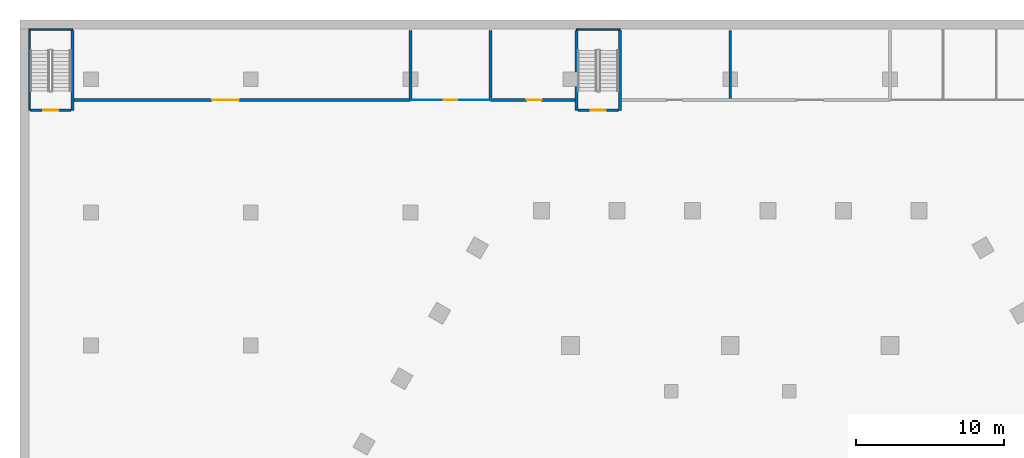
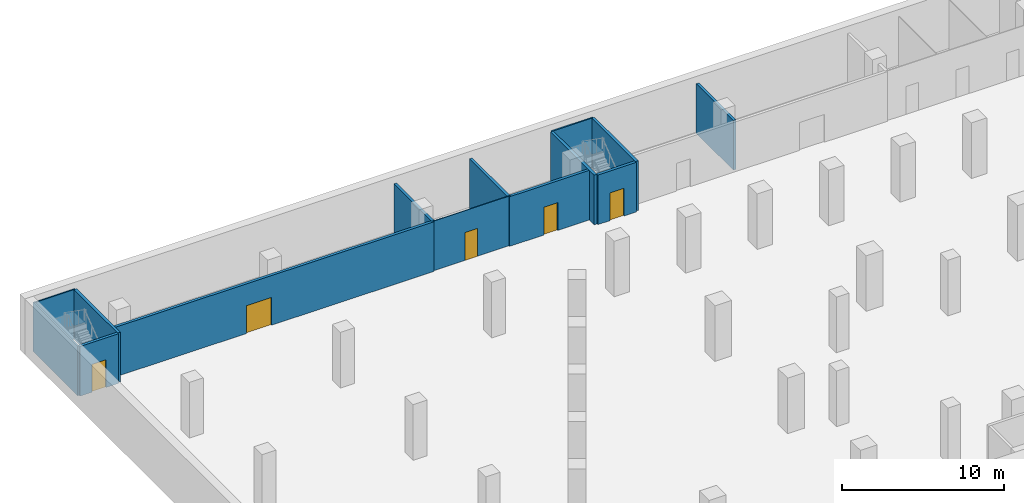
# One storey, part 8 of 20: 14 walls, 5 doors, 5 openings.
"""IFC4 building model written with IfcOpenShell, lengths in metres."""

from ifc_helpers import new_model, si_unit, direction, frame, frame_2d, origin, place, context, subcontext, project, spatial, rectangle, extrude, material, layer, layer_set, type_object, element, fill, save


model = new_model("IFC4")

# Units and contexts
model_context = context("Model", 3, precision=1e-05, world=origin(), true_north=direction((0.0, 1.0)))
body_context = subcontext(model_context, "Body", "Model", "MODEL_VIEW")
ifc_project = project(units=[si_unit("LENGTHUNIT", "METRE"), si_unit("AREAUNIT", "SQUARE_METRE"), si_unit("VOLUMEUNIT", "CUBIC_METRE"), si_unit("PLANEANGLEUNIT", "RADIAN"), si_unit("MASSUNIT", "GRAM", prefix="KILO")], contexts=[model_context])

# Site, building, storey
site_placement = place(None, origin())
site = spatial("IfcSite", under=ifc_project, at=site_placement, CompositionType="ELEMENT")
building_placement = place(site_placement, origin())
building = spatial("IfcBuilding", under=site, at=building_placement, Name="Beryl Residences", CompositionType="ELEMENT")
storey_placement = place(building_placement, frame((0.0, 0.0, -4.199951171875)))
storey = spatial("IfcBuildingStorey", under=building, at=storey_placement, Name="B1", CompositionType="ELEMENT", Elevation=-4.199951171875)

# Wall, opening, door
ifc_material_1 = material(Name="Gypsum board partition on steel studs", Category="steel")
ifc_layer_1 = layer(ifc_material_1, 0.050048828125)
ifc_layer_set_1 = layer_set([ifc_layer_1], Name="PT1-50 partition 50 mm")
wall_type_1 = type_object("IfcWallType", Name="PT1-50 partition 50 mm", PredefinedType="PARTITIONING", material=ifc_layer_set_1)
wall_1_placement = place(storey_placement, frame((-21.60009765625, 34.60009765625, 0.0), z_axis=(0.0, 0.0, 1.0), x_axis=(1.0, 0.0, 0.0)))
wall_1 = element("IfcWall", 1, at=wall_1_placement, inside=storey, type_object=wall_type_1, Name="Wall PT1-50 B1 001", PredefinedType="PARTITIONING", context=body_context, shape_type="SweptSolid", body=[
    extrude(rectangle(XDim=5.5, YDim=0.050048828125, at=frame_2d((2.75, 0.0))), origin(), (0.0, 0.0, 1.0), 3.75),
])
opening_1_placement = place(wall_1_placement, frame((3.14990234375, 0.0, 0.0), z_axis=(0.0, 0.0, 1.0), x_axis=(-1.0, 0.0, 0.0)))
opening_1 = element("IfcOpeningElement", 2, at=opening_1_placement, cuts=wall_1, Name="Opening B1-09", PredefinedType="OPENING", context=body_context, shape_type="SweptSolid", body=[
    extrude(rectangle(XDim=0.89990234375, YDim=2.10009765625, at=frame_2d((0.449951171875, 1.050048828125))), frame((0.0, 0.034912109375, 0.0), z_axis=(0.0, -1.0, 0.0), x_axis=(1.0, 0.0, 0.0)), (0.0, 0.0, 1.0), 0.070068359375),
])
ifc_material_2 = material(Name="Timber door leaf", Category="wood")
door_type_1 = type_object("IfcDoorType", Name="D2 room door 900 x 2100 mm", OperationType="SINGLE_SWING_LEFT", PredefinedType="DOOR", material=ifc_material_2)
door_1_placement = place(opening_1_placement, origin())
door_1 = element("IfcDoor", 3, at=door_1_placement, inside=storey, type_object=door_type_1, Name="Door B1-09 B1 001", OperationType="SINGLE_SWING_RIGHT", OverallHeight=2.10009765625, OverallWidth=0.89990234375, PredefinedType="DOOR", context=body_context, shape_type="SweptSolid", body=[
    extrude(rectangle(XDim=0.89990234375, YDim=2.10009765625, at=frame_2d((0.449951171875, 1.050048828125))), frame((0.0, 0.02490234375, 0.0), z_axis=(0.0, -1.0, 0.0), x_axis=(1.0, 0.0, 0.0)), (0.0, 0.0, 1.0), 0.049560546875),
])
fill(opening_1, door_1)

ifc_material_3 = material(Name="Concrete C40/50", Category="concrete")
ifc_layer_2 = layer(ifc_material_3, 0.199951171875)
ifc_layer_set_2 = layer_set([ifc_layer_2], Name="PT5 stair enclosure wall 200 mm reinforced concrete C40/50")
wall_type_2 = type_object("IfcWallType", Name="PT5 stair enclosure wall 200 mm reinforced concrete C40/50", PredefinedType="SOLIDWALL", material=ifc_layer_set_2)
wall_2_placement = place(storey_placement, frame((-47.300048828125, 33.89990234375, 0.0), z_axis=(0.0, 0.0, 1.0), x_axis=(1.0, 0.0, 0.0)))
wall_2 = element("IfcWall", 4, at=wall_2_placement, inside=storey, type_object=wall_type_2, Name="Wall PT5 B1 004", PredefinedType="SOLIDWALL", context=body_context, shape_type="SweptSolid", body=[
    extrude(rectangle(XDim=2.75, YDim=0.199951171875, at=frame_2d((1.375, 0.0))), origin(), (0.0, 0.0, 1.0), 3.75),
])
opening_2_placement = place(wall_2_placement, frame((0.875, 0.0, 0.0)))
opening_2 = element("IfcOpeningElement", 5, at=opening_2_placement, cuts=wall_2, Name="Opening B1-01", PredefinedType="OPENING", context=body_context, shape_type="SweptSolid", body=[
    extrude(rectangle(XDim=1.0, YDim=2.10009765625, at=frame_2d((0.5, 1.050048828125))), frame((0.0, 0.10986328125, 0.0), z_axis=(0.0, -1.0, 0.0), x_axis=(1.0, 0.0, 0.0)), (0.0, 0.0, 1.0), 0.219970703125),
])
ifc_material_4 = material(Name="Steel door leaf in steel frame", Category="steel")
door_type_2 = type_object("IfcDoorType", Name="D15 stair door 1000 x 2100 mm", OperationType="SINGLE_SWING_LEFT", PredefinedType="DOOR", material=ifc_material_4)
door_2_placement = place(opening_2_placement, origin())
door_2 = element("IfcDoor", 6, at=door_2_placement, inside=storey, type_object=door_type_2, Name="Door B1-01 B1 001", OperationType="SINGLE_SWING_LEFT", OverallHeight=2.10009765625, OverallWidth=1.0, PredefinedType="DOOR", context=body_context, shape_type="SweptSolid", body=[
    extrude(rectangle(XDim=1.0, YDim=2.10009765625, at=frame_2d((0.5, 1.050048828125))), frame((0.0, 0.02490234375, 0.0), z_axis=(0.0, -1.0, 0.0), x_axis=(1.0, 0.0, 0.0)), (0.0, 0.0, 1.0), 0.050048828125),
])
fill(opening_2, door_2)

wall_3_placement = place(storey_placement, frame((-10.300048828125, 33.89990234375, 0.0), z_axis=(0.0, 0.0, 1.0), x_axis=(1.0, 0.0, 0.0)))
wall_3 = element("IfcWall", 7, at=wall_3_placement, inside=storey, type_object=wall_type_2, Name="Wall PT5 B1 005", PredefinedType="SOLIDWALL", context=body_context, shape_type="SweptSolid", body=[
    extrude(rectangle(XDim=2.75, YDim=0.199951171875, at=frame_2d((1.375, 0.0))), origin(), (0.0, 0.0, 1.0), 3.75),
])
opening_3_placement = place(wall_3_placement, frame((0.875, 0.0, 0.0)))
opening_3 = element("IfcOpeningElement", 8, at=opening_3_placement, cuts=wall_3, Name="Opening B1-02", PredefinedType="OPENING", context=body_context, shape_type="SweptSolid", body=[
    extrude(rectangle(XDim=1.0, YDim=2.10009765625, at=frame_2d((0.5, 1.050048828125))), frame((0.0, 0.10986328125, 0.0), z_axis=(0.0, -1.0, 0.0), x_axis=(1.0, 0.0, 0.0)), (0.0, 0.0, 1.0), 0.219970703125),
])
door_3_placement = place(opening_3_placement, origin())
door_3 = element("IfcDoor", 9, at=door_3_placement, inside=storey, type_object=door_type_2, Name="Door B1-02 B1 001", OperationType="SINGLE_SWING_RIGHT", OverallHeight=2.10009765625, OverallWidth=1.0, PredefinedType="DOOR", context=body_context, shape_type="SweptSolid", body=[
    extrude(rectangle(XDim=1.0, YDim=2.10009765625, at=frame_2d((0.5, 1.050048828125))), frame((0.0, 0.02490234375, 0.0), z_axis=(0.0, -1.0, 0.0), x_axis=(1.0, 0.0, 0.0)), (0.0, 0.0, 1.0), 0.050048828125),
])
fill(opening_3, door_3)

# Walls
for number, where, z_axis, x_axis, name in (
    (10, (-44.449951171875, 33.89990234375, 0.0), (0.0, 0.0, 1.0), (0.0, 1.0, 0.0), "Wall PT5 B1 008"),
    (11, (-10.39990234375, 33.89990234375, 0.0), (0.0, 0.0, 1.0), (0.0, 1.0, 0.0), "Wall PT5 B1 011"),
    (12, (-7.449951171875, 33.89990234375, 0.0), (0.0, 0.0, 1.0), (0.0, 1.0, 0.0), "Wall PT5 B1 012"),
):
    element("IfcWall", number, at=place(storey_placement, frame(where, z_axis=z_axis, x_axis=x_axis)), inside=storey, type_object=wall_type_2, Name=name, PredefinedType="SOLIDWALL", context=body_context, shape_type="SweptSolid", body=[
        extrude(rectangle(XDim=5.400146484375, YDim=0.199951171875, at=frame_2d((2.7001953125, 0.0))), origin(), (0.0, 0.0, 1.0), 3.75),
    ])
ifc_material_5 = material(Name="Concrete C40/50", Category="concrete")
ifc_layer_3 = layer(ifc_material_5, 0.10009765625)
ifc_layer_set_3 = layer_set([ifc_layer_3], Name="PT5-100 stair enclosure wall 100 mm")
wall_type_3 = type_object("IfcWallType", Name="PT5-100 stair enclosure wall 100 mm", PredefinedType="SOLIDWALL", material=ifc_layer_set_3)
wall_4_placement = place(storey_placement, frame((-47.35009765625, 33.89990234375, 0.0), z_axis=(0.0, 0.0, 1.0), x_axis=(0.0, 1.0, 0.0)))
element("IfcWall", 13, at=wall_4_placement, inside=storey, type_object=wall_type_3, Name="Wall PT5-100 B1 001", PredefinedType="SOLIDWALL", context=body_context, shape_type="SweptSolid", body=[
    extrude(rectangle(XDim=5.5, YDim=0.10009765625, at=frame_2d((2.75, 0.0))), origin(), (0.0, 0.0, 1.0), 3.75),
])
for number, where, z_axis, x_axis, name in (
    (14, (-47.39990234375, 39.35009765625, 0.0), (0.0, 0.0, 1.0), (1.0, 0.0, 0.0), "Wall PT5-100 B1 002"),
    (15, (-10.39990234375, 39.35009765625, 0.0), (0.0, 0.0, 1.0), (1.0, 0.0, 0.0), "Wall PT5-100 B1 003"),
):
    element("IfcWall", number, at=place(storey_placement, frame(where, z_axis=z_axis, x_axis=x_axis)), inside=storey, type_object=wall_type_3, Name=name, PredefinedType="SOLIDWALL", context=body_context, shape_type="SweptSolid", body=[
        extrude(rectangle(XDim=2.949951171875, YDim=0.10009765625, at=frame_2d((1.47509765625, 0.0))), origin(), (0.0, 0.0, 1.0), 3.75),
    ])

# Wall, opening, door
ifc_material_6 = material(Name="Concrete masonry", Category="masonry")
ifc_layer_4 = layer(ifc_material_6, 0.199951171875)
ifc_layer_set_4 = layer_set([ifc_layer_4], Name="PT8-200 service room wall 200 mm")
wall_type_4 = type_object("IfcWallType", Name="PT8-200 service room wall 200 mm", PredefinedType="PARTITIONING", material=ifc_layer_set_4)
wall_5_placement = place(storey_placement, frame((-44.550048828125, 34.60009765625, 0.0), z_axis=(0.0, 0.0, 1.0), x_axis=(1.0, 0.0, 0.0)))
wall_5 = element("IfcWall", 16, at=wall_5_placement, inside=storey, type_object=wall_type_4, Name="Wall PT8-200 B1 001", PredefinedType="PARTITIONING", context=body_context, shape_type="SweptSolid", body=[
    extrude(rectangle(XDim=22.949951171875, YDim=0.199951171875, at=frame_2d((11.47509765625, 0.0))), origin(), (0.0, 0.0, 1.0), 3.75),
])
opening_4_placement = place(wall_5_placement, frame((11.342041015625, 0.0, 0.0), z_axis=(0.0, 0.0, 1.0), x_axis=(-1.0, 0.0, 0.0)))
opening_4 = element("IfcOpeningElement", 17, at=opening_4_placement, cuts=wall_5, Name="Opening B1-08", PredefinedType="OPENING", context=body_context, shape_type="SweptSolid", body=[
    extrude(rectangle(XDim=1.800048828125, YDim=2.10009765625, at=frame_2d((0.89990234375, 1.050048828125))), frame((0.0, 0.10986328125, 0.0), z_axis=(0.0, -1.0, 0.0), x_axis=(1.0, 0.0, 0.0)), (0.0, 0.0, 1.0), 0.219970703125),
])
ifc_material_7 = material(Name="Steel door leaf in steel frame", Category="steel")
door_type_3 = type_object("IfcDoorType", Name="D17 service room door 1800 x 2100 mm", OperationType="DOUBLE_DOOR_SINGLE_SWING", PredefinedType="DOOR", material=ifc_material_7)
door_4_placement = place(opening_4_placement, origin())
door_4 = element("IfcDoor", 18, at=door_4_placement, inside=storey, type_object=door_type_3, Name="Door B1-08 B1 001", OperationType="DOUBLE_DOOR_SINGLE_SWING", OverallHeight=2.10009765625, OverallWidth=1.800048828125, PredefinedType="DOOR", context=body_context, shape_type="SweptSolid", body=[
    extrude(rectangle(XDim=1.800048828125, YDim=2.10009765625, at=frame_2d((0.89990234375, 1.050048828125))), frame((0.0, 0.02490234375, 0.0), z_axis=(0.0, -1.0, 0.0), x_axis=(1.0, 0.0, 0.0)), (0.0, 0.0, 1.0), 0.050048828125),
])
fill(opening_4, door_4)

# Wall
wall_6_placement = place(storey_placement, frame((-21.60009765625, 34.625, 0.0), z_axis=(0.0, 0.0, 1.0), x_axis=(0.0, 1.0, 0.0)))
element("IfcWall", 19, at=wall_6_placement, inside=storey, type_object=wall_type_4, Name="Wall PT8-200 B1 002", PredefinedType="PARTITIONING", context=body_context, shape_type="SweptSolid", body=[
    extrude(rectangle(XDim=4.675048828125, YDim=0.199951171875, at=frame_2d((2.33740234375, 0.0))), origin(), (0.0, 0.0, 1.0), 3.75),
])

# Wall, opening, door
ifc_material_8 = material(Name="Concrete C40/50", Category="concrete")
ifc_layer_5 = layer(ifc_material_8, 0.199951171875)
ifc_layer_set_5 = layer_set([ifc_layer_5], Name="PT9-200 plant room wall 200 mm")
wall_type_5 = type_object("IfcWallType", Name="PT9-200 plant room wall 200 mm", PredefinedType="SOLIDWALL", material=ifc_layer_set_5)
wall_7_placement = place(storey_placement, frame((-16.199951171875, 34.60009765625, 0.0), z_axis=(0.0, 0.0, 1.0), x_axis=(1.0, 0.0, 0.0)))
wall_7 = element("IfcWall", 20, at=wall_7_placement, inside=storey, type_object=wall_type_5, Name="Wall PT9-200 B1 001", PredefinedType="SOLIDWALL", context=body_context, shape_type="SweptSolid", body=[
    extrude(rectangle(XDim=5.89990234375, YDim=0.199951171875, at=frame_2d((2.949951171875, 0.0))), origin(), (0.0, 0.0, 1.0), 3.75),
])
opening_5_placement = place(wall_7_placement, frame((3.449951171875, 0.0, 0.0), z_axis=(0.0, 0.0, 1.0), x_axis=(-1.0, 0.0, 0.0)))
opening_5 = element("IfcOpeningElement", 21, at=opening_5_placement, cuts=wall_7, Name="Opening B1-10", PredefinedType="OPENING", context=body_context, shape_type="SweptSolid", body=[
    extrude(rectangle(XDim=1.0, YDim=2.10009765625, at=frame_2d((0.5, 1.050048828125))), frame((0.0, 0.10986328125, 0.0), z_axis=(0.0, -1.0, 0.0), x_axis=(1.0, 0.0, 0.0)), (0.0, 0.0, 1.0), 0.219970703125),
])
ifc_material_9 = material(Name="Steel door leaf in steel frame", Category="steel")
door_type_4 = type_object("IfcDoorType", Name="D16 plant room door 1000 x 2100 mm", OperationType="SINGLE_SWING_LEFT", PredefinedType="DOOR", material=ifc_material_9)
door_5_placement = place(opening_5_placement, origin())
door_5 = element("IfcDoor", 22, at=door_5_placement, inside=storey, type_object=door_type_4, Name="Door B1-10 B1 001", OperationType="SINGLE_SWING_LEFT", OverallHeight=2.10009765625, OverallWidth=1.0, PredefinedType="DOOR", context=body_context, shape_type="SweptSolid", body=[
    extrude(rectangle(XDim=1.0, YDim=2.10009765625, at=frame_2d((0.5, 1.050048828125))), frame((0.0, 0.02490234375, 0.0), z_axis=(0.0, -1.0, 0.0), x_axis=(1.0, 0.0, 0.0)), (0.0, 0.0, 1.0), 0.050048828125),
])
fill(opening_5, door_5)

# Walls
wall_8_placement = place(storey_placement, frame((-16.199951171875, 34.625, 0.0), z_axis=(0.0, 0.0, 1.0), x_axis=(0.0, 1.0, 0.0)))
element("IfcWall", 23, at=wall_8_placement, inside=storey, type_object=wall_type_5, Name="Wall PT9-200 B1 003", PredefinedType="SOLIDWALL", context=body_context, shape_type="SweptSolid", body=[
    extrude(rectangle(XDim=4.675048828125, YDim=0.199951171875, at=frame_2d((2.33740234375, 0.0))), origin(), (0.0, 0.0, 1.0), 3.75),
])
wall_9_placement = place(storey_placement, frame((0.0, 34.699951171875, 0.0), z_axis=(0.0, 0.0, 1.0), x_axis=(0.0, 1.0, 0.0)))
element("IfcWall", 24, at=wall_9_placement, inside=storey, type_object=wall_type_5, Name="Wall PT9-200 B1 004", PredefinedType="SOLIDWALL", context=body_context, shape_type="SweptSolid", body=[
    extrude(rectangle(XDim=4.60009765625, YDim=0.199951171875, at=frame_2d((2.300048828125, 0.0))), origin(), (0.0, 0.0, 1.0), 3.75),
])

save(model, "model.ifc")
